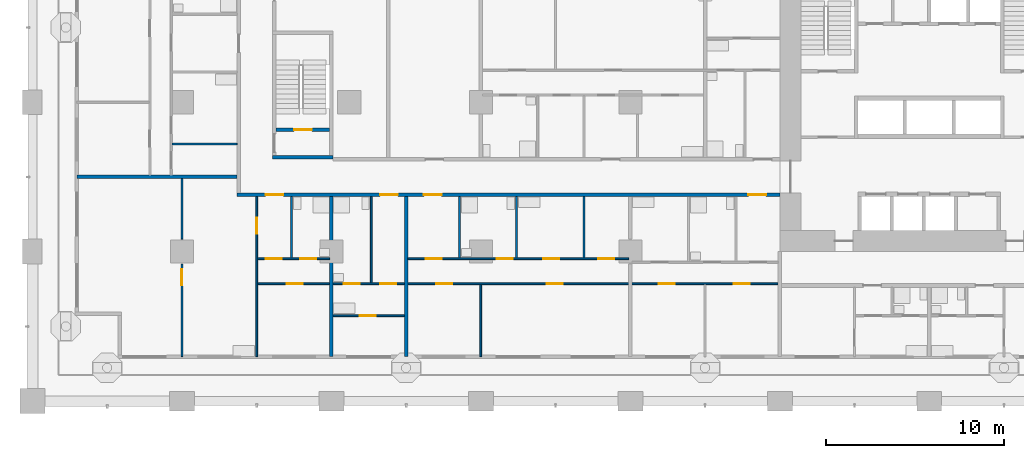
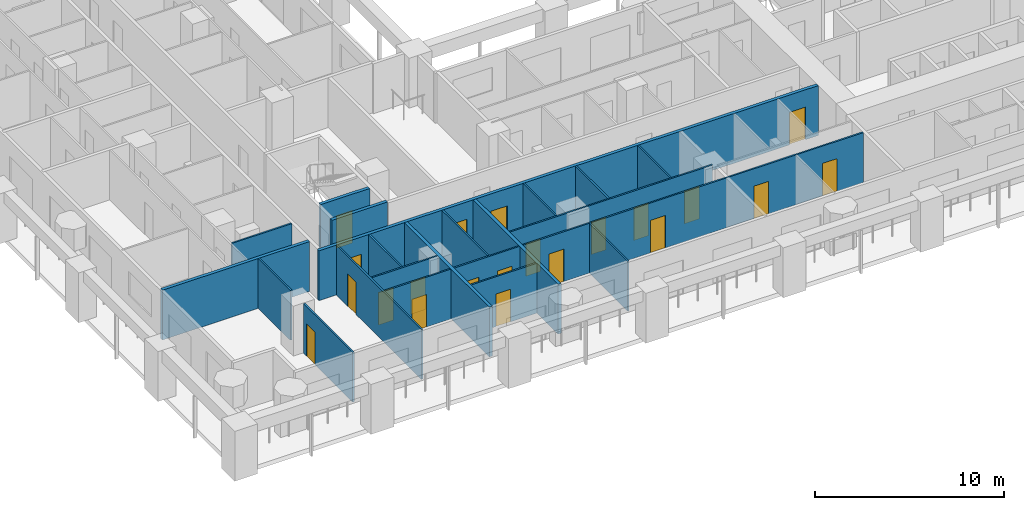
# One storey, part 2 of 21: 21 doors, 20 walls, 21 openings.
"""IFC4 building model written with IfcOpenShell, lengths in metres."""

from ifc_helpers import new_model, si_unit, direction, frame, frame_2d, origin, place, context, subcontext, project, spatial, rectangle, extrude, material, layer, layer_set, type_object, element, fill, save


model = new_model("IFC4")

# Units and contexts
model_context = context("Model", 3, precision=1e-05, world=origin(), true_north=direction((0.0, 1.0)))
body_context = subcontext(model_context, "Body", "Model", "MODEL_VIEW")
ifc_project = project(units=[si_unit("LENGTHUNIT", "METRE"), si_unit("AREAUNIT", "SQUARE_METRE"), si_unit("VOLUMEUNIT", "CUBIC_METRE"), si_unit("PLANEANGLEUNIT", "RADIAN"), si_unit("MASSUNIT", "GRAM", prefix="KILO")], contexts=[model_context])

# Site, building, storey
site_placement = place(None, origin())
site = spatial("IfcSite", under=ifc_project, at=site_placement, CompositionType="ELEMENT")
building_placement = place(site_placement, origin())
building = spatial("IfcBuilding", under=site, at=building_placement, Name="Vermilion Gate Residences", CompositionType="ELEMENT")
storey_placement = place(building_placement, frame((0.0, 0.0, 67.199951171875)))
storey = spatial("IfcBuildingStorey", under=building, at=storey_placement, Name="L16", CompositionType="ELEMENT", Elevation=67.199951171875)

# Wall, opening, door
ifc_material_1 = material(Name="Plasterboard on steel studs", Category="steel")
ifc_layer_1 = layer(ifc_material_1, 0.10009765625)
ifc_layer_set_1 = layer_set([ifc_layer_1], Name="PARTITION 100")
wall_type_1 = type_object("IfcWallType", Name="PARTITION 100", PredefinedType="PARTITIONING", material=ifc_layer_set_1)
wall_1_placement = place(storey_placement, frame((16.89990234375, 4.800048828125, 0.0), z_axis=(0.0, 0.0, 1.0), x_axis=(1.0, 0.0, 0.0)))
wall_1 = element("IfcWall", 1, at=wall_1_placement, inside=storey, type_object=wall_type_1, Name="Partition", PredefinedType="PARTITIONING", context=body_context, shape_type="SweptSolid", body=[
    extrude(rectangle(XDim=4.0, YDim=0.10009765625, at=frame_2d((2.0, 0.0))), origin(), (0.0, 0.0, 1.0), 3.219970703125),
])
opening_1_placement = place(wall_1_placement, frame((1.5, 0.0, 0.0)))
opening_1 = element("IfcOpeningElement", 2, at=opening_1_placement, cuts=wall_1, Name="Opening DA16001", PredefinedType="OPENING", context=body_context, shape_type="SweptSolid", body=[
    extrude(rectangle(XDim=0.89990234375, YDim=2.10009765625, at=frame_2d((0.449951171875, 1.050048828125))), frame((0.0, 0.06005859375, 0.0), z_axis=(0.0, -1.0, 0.0), x_axis=(1.0, 0.0, 0.0)), (0.0, 0.0, 1.0), 0.1201171875),
])
ifc_material_2 = material(Name="Timber", Category="wood")
door_type_1 = type_object("IfcDoorType", Name="INTERIOR DOOR 900 X 2100", OperationType="SINGLE_SWING_LEFT", PredefinedType="DOOR", material=ifc_material_2)
door_1_placement = place(opening_1_placement, origin())
door_1 = element("IfcDoor", 3, at=door_1_placement, inside=storey, type_object=door_type_1, Name="Interior door", OperationType="SINGLE_SWING_LEFT", OverallHeight=2.10009765625, OverallWidth=0.89990234375, PredefinedType="DOOR", context=body_context, shape_type="SweptSolid", body=[
    extrude(rectangle(XDim=0.89990234375, YDim=2.10009765625, at=frame_2d((0.449951171875, 1.050048828125))), frame((0.0, 0.02490234375, 0.0), z_axis=(0.0, -1.0, 0.0), x_axis=(1.0, 0.0, 0.0)), (0.0, 0.0, 1.0), 0.050048828125),
])
fill(opening_1, door_1)

# Wall, openings, doors
wall_2_placement = place(storey_placement, frame((12.64990234375, 6.60009765625, 0.0), z_axis=(0.0, 0.0, 1.0), x_axis=(1.0, 0.0, 0.0)))
wall_2 = element("IfcWall", 4, at=wall_2_placement, inside=storey, type_object=wall_type_1, Name="Partition", PredefinedType="PARTITIONING", context=body_context, shape_type="SweptSolid", body=[
    extrude(rectangle(XDim=29.25, YDim=0.10009765625, at=frame_2d((14.625, 0.0))), origin(), (0.0, 0.0, 1.0), 3.219970703125),
])
opening_2_placement = place(wall_2_placement, frame((1.64990234375, 0.0, 0.0)))
opening_2 = element("IfcOpeningElement", 5, at=opening_2_placement, cuts=wall_2, Name="Opening DA16009", PredefinedType="OPENING", context=body_context, shape_type="SweptSolid", body=[
    extrude(rectangle(XDim=0.89990234375, YDim=2.10009765625, at=frame_2d((0.449951171875, 1.050048828125))), frame((0.0, 0.06005859375, 0.0), z_axis=(0.0, -1.0, 0.0), x_axis=(1.0, 0.0, 0.0)), (0.0, 0.0, 1.0), 0.1201171875),
])
opening_3_placement = place(wall_2_placement, frame((6.889892578125, 0.0, 0.0)))
opening_3 = element("IfcOpeningElement", 6, at=opening_3_placement, cuts=wall_2, Name="Opening DA16010", PredefinedType="OPENING", context=body_context, shape_type="SweptSolid", body=[
    extrude(rectangle(XDim=0.89990234375, YDim=2.10009765625, at=frame_2d((0.449951171875, 1.050048828125))), frame((0.0, 0.06005859375, 0.0), z_axis=(0.0, -1.0, 0.0), x_axis=(1.0, 0.0, 0.0)), (0.0, 0.0, 1.0), 0.1201171875),
])
opening_4_placement = place(wall_2_placement, frame((4.85009765625, 0.0, 0.0)))
opening_4 = element("IfcOpeningElement", 7, at=opening_4_placement, cuts=wall_2, Name="Opening DA16011", PredefinedType="OPENING", context=body_context, shape_type="SweptSolid", body=[
    extrude(rectangle(XDim=0.89990234375, YDim=2.10009765625, at=frame_2d((0.449951171875, 1.050048828125))), frame((0.0, 0.06005859375, 0.0), z_axis=(0.0, -1.0, 0.0), x_axis=(1.0, 0.0, 0.0)), (0.0, 0.0, 1.0), 0.1201171875),
])
opening_5_placement = place(wall_2_placement, frame((10.050048828125, 0.0, 0.0)))
opening_5 = element("IfcOpeningElement", 8, at=opening_5_placement, cuts=wall_2, Name="Opening DA16012", PredefinedType="OPENING", context=body_context, shape_type="SweptSolid", body=[
    extrude(rectangle(XDim=0.89990234375, YDim=2.10009765625, at=frame_2d((0.449951171875, 1.050048828125))), frame((0.0, 0.06005859375, 0.0), z_axis=(0.0, -1.0, 0.0), x_axis=(1.0, 0.0, 0.0)), (0.0, 0.0, 1.0), 0.1201171875),
])
opening_6_placement = place(wall_2_placement, frame((16.25, 0.0, 0.0)))
opening_6 = element("IfcOpeningElement", 9, at=opening_6_placement, cuts=wall_2, Name="Opening DA16013", PredefinedType="OPENING", context=body_context, shape_type="SweptSolid", body=[
    extrude(rectangle(XDim=0.89990234375, YDim=2.10009765625, at=frame_2d((0.449951171875, 1.050048828125))), frame((0.0, 0.06005859375, 0.0), z_axis=(0.0, -1.0, 0.0), x_axis=(1.0, 0.0, 0.0)), (0.0, 0.0, 1.0), 0.1201171875),
])
opening_7_placement = place(wall_2_placement, frame((22.550048828125, 0.0, 0.0)))
opening_7 = element("IfcOpeningElement", 10, at=opening_7_placement, cuts=wall_2, Name="Opening DA16014", PredefinedType="OPENING", context=body_context, shape_type="SweptSolid", body=[
    extrude(rectangle(XDim=0.89990234375, YDim=2.10009765625, at=frame_2d((0.449951171875, 1.050048828125))), frame((0.0, 0.06005859375, 0.0), z_axis=(0.0, -1.0, 0.0), x_axis=(1.0, 0.0, 0.0)), (0.0, 0.0, 1.0), 0.1201171875),
])
opening_8_placement = place(wall_2_placement, frame((26.75, 0.0, 0.0)))
opening_8 = element("IfcOpeningElement", 11, at=opening_8_placement, cuts=wall_2, Name="Opening DA16015", PredefinedType="OPENING", context=body_context, shape_type="SweptSolid", body=[
    extrude(rectangle(XDim=0.89990234375, YDim=2.10009765625, at=frame_2d((0.449951171875, 1.050048828125))), frame((0.0, 0.06005859375, 0.0), z_axis=(0.0, -1.0, 0.0), x_axis=(1.0, 0.0, 0.0)), (0.0, 0.0, 1.0), 0.1201171875),
])
door_2_placement = place(opening_2_placement, frame((0.89990234375, 0.0, 0.0), z_axis=(0.0, 0.0, 1.0), x_axis=(-1.0, 0.0, 0.0)))
door_2 = element("IfcDoor", 12, at=door_2_placement, inside=storey, type_object=door_type_1, Name="Interior door", OperationType="SINGLE_SWING_LEFT", OverallHeight=2.10009765625, OverallWidth=0.89990234375, PredefinedType="DOOR", context=body_context, shape_type="SweptSolid", body=[
    extrude(rectangle(XDim=0.89990234375, YDim=2.10009765625, at=frame_2d((0.449951171875, 1.050048828125))), frame((0.0, 0.02490234375, 0.0), z_axis=(0.0, -1.0, 0.0), x_axis=(1.0, 0.0, 0.0)), (0.0, 0.0, 1.0), 0.050048828125),
])
fill(opening_2, door_2)
door_3_placement = place(opening_3_placement, frame((0.89990234375, 0.0, 0.0), z_axis=(0.0, 0.0, 1.0), x_axis=(-1.0, 0.0, 0.0)))
door_3 = element("IfcDoor", 13, at=door_3_placement, inside=storey, type_object=door_type_1, Name="Interior door", OperationType="SINGLE_SWING_LEFT", OverallHeight=2.10009765625, OverallWidth=0.89990234375, PredefinedType="DOOR", context=body_context, shape_type="SweptSolid", body=[
    extrude(rectangle(XDim=0.89990234375, YDim=2.10009765625, at=frame_2d((0.449951171875, 1.050048828125))), frame((0.0, 0.02490234375, 0.0), z_axis=(0.0, -1.0, 0.0), x_axis=(1.0, 0.0, 0.0)), (0.0, 0.0, 1.0), 0.050048828125),
])
fill(opening_3, door_3)
door_4_placement = place(opening_4_placement, frame((0.89990234375, 0.0, 0.0), z_axis=(0.0, 0.0, 1.0), x_axis=(-1.0, 0.0, 0.0)))
door_4 = element("IfcDoor", 14, at=door_4_placement, inside=storey, type_object=door_type_1, Name="Interior door", OperationType="SINGLE_SWING_RIGHT", OverallHeight=2.10009765625, OverallWidth=0.89990234375, PredefinedType="DOOR", context=body_context, shape_type="SweptSolid", body=[
    extrude(rectangle(XDim=0.89990234375, YDim=2.10009765625, at=frame_2d((0.449951171875, 1.050048828125))), frame((0.0, 0.02490234375, 0.0), z_axis=(0.0, -1.0, 0.0), x_axis=(1.0, 0.0, 0.0)), (0.0, 0.0, 1.0), 0.050048828125),
])
fill(opening_4, door_4)
door_5_placement = place(opening_5_placement, frame((0.89990234375, 0.0, 0.0), z_axis=(0.0, 0.0, 1.0), x_axis=(-1.0, 0.0, 0.0)))
door_5 = element("IfcDoor", 15, at=door_5_placement, inside=storey, type_object=door_type_1, Name="Interior door", OperationType="SINGLE_SWING_LEFT", OverallHeight=2.10009765625, OverallWidth=0.89990234375, PredefinedType="DOOR", context=body_context, shape_type="SweptSolid", body=[
    extrude(rectangle(XDim=0.89990234375, YDim=2.10009765625, at=frame_2d((0.449951171875, 1.050048828125))), frame((0.0, 0.02490234375, 0.0), z_axis=(0.0, -1.0, 0.0), x_axis=(1.0, 0.0, 0.0)), (0.0, 0.0, 1.0), 0.050048828125),
])
fill(opening_5, door_5)
door_6_placement = place(opening_6_placement, frame((0.89990234375, 0.0, 0.0), z_axis=(0.0, 0.0, 1.0), x_axis=(-1.0, 0.0, 0.0)))
door_6 = element("IfcDoor", 16, at=door_6_placement, inside=storey, type_object=door_type_1, Name="Interior door", OperationType="SINGLE_SWING_RIGHT", OverallHeight=2.10009765625, OverallWidth=0.89990234375, PredefinedType="DOOR", context=body_context, shape_type="SweptSolid", body=[
    extrude(rectangle(XDim=0.89990234375, YDim=2.10009765625, at=frame_2d((0.449951171875, 1.050048828125))), frame((0.0, 0.02490234375, 0.0), z_axis=(0.0, -1.0, 0.0), x_axis=(1.0, 0.0, 0.0)), (0.0, 0.0, 1.0), 0.050048828125),
])
fill(opening_6, door_6)
door_7_placement = place(opening_7_placement, frame((0.89990234375, 0.0, 0.0), z_axis=(0.0, 0.0, 1.0), x_axis=(-1.0, 0.0, 0.0)))
door_7 = element("IfcDoor", 17, at=door_7_placement, inside=storey, type_object=door_type_1, Name="Interior door", OperationType="SINGLE_SWING_RIGHT", OverallHeight=2.10009765625, OverallWidth=0.89990234375, PredefinedType="DOOR", context=body_context, shape_type="SweptSolid", body=[
    extrude(rectangle(XDim=0.89990234375, YDim=2.10009765625, at=frame_2d((0.449951171875, 1.050048828125))), frame((0.0, 0.02490234375, 0.0), z_axis=(0.0, -1.0, 0.0), x_axis=(1.0, 0.0, 0.0)), (0.0, 0.0, 1.0), 0.050048828125),
])
fill(opening_7, door_7)
door_8_placement = place(opening_8_placement, frame((0.89990234375, 0.0, 0.0), z_axis=(0.0, 0.0, 1.0), x_axis=(-1.0, 0.0, 0.0)))
door_8 = element("IfcDoor", 18, at=door_8_placement, inside=storey, type_object=door_type_1, Name="Interior door", OperationType="SINGLE_SWING_RIGHT", OverallHeight=2.10009765625, OverallWidth=0.89990234375, PredefinedType="DOOR", context=body_context, shape_type="SweptSolid", body=[
    extrude(rectangle(XDim=0.89990234375, YDim=2.10009765625, at=frame_2d((0.449951171875, 1.050048828125))), frame((0.0, 0.02490234375, 0.0), z_axis=(0.0, -1.0, 0.0), x_axis=(1.0, 0.0, 0.0)), (0.0, 0.0, 1.0), 0.050048828125),
])
fill(opening_8, door_8)

wall_3_placement = place(storey_placement, frame((12.64990234375, 8.0, 0.0), z_axis=(0.0, 0.0, 1.0), x_axis=(1.0, 0.0, 0.0)))
wall_3 = element("IfcWall", 19, at=wall_3_placement, inside=storey, type_object=wall_type_1, Name="Partition", PredefinedType="PARTITIONING", context=body_context, shape_type="SweptSolid", body=[
    extrude(rectangle(XDim=4.050048828125, YDim=0.10009765625, at=frame_2d((2.02490234375, 0.0))), origin(), (0.0, 0.0, 1.0), 3.219970703125),
])
opening_9_placement = place(wall_3_placement, frame((0.449951171875, 0.0, 0.0)))
opening_9 = element("IfcOpeningElement", 20, at=opening_9_placement, cuts=wall_3, Name="Opening DA16019", PredefinedType="OPENING", context=body_context, shape_type="SweptSolid", body=[
    extrude(rectangle(XDim=0.89990234375, YDim=2.10009765625, at=frame_2d((0.449951171875, 1.050048828125))), frame((0.0, 0.06005859375, 0.0), z_axis=(0.0, -1.0, 0.0), x_axis=(1.0, 0.0, 0.0)), (0.0, 0.0, 1.0), 0.1201171875),
])
opening_10_placement = place(wall_3_placement, frame((2.409912109375, 0.0, 0.0)))
opening_10 = element("IfcOpeningElement", 21, at=opening_10_placement, cuts=wall_3, Name="Opening DA16020", PredefinedType="OPENING", context=body_context, shape_type="SweptSolid", body=[
    extrude(rectangle(XDim=0.89990234375, YDim=2.10009765625, at=frame_2d((0.449951171875, 1.050048828125))), frame((0.0, 0.06005859375, 0.0), z_axis=(0.0, -1.0, 0.0), x_axis=(1.0, 0.0, 0.0)), (0.0, 0.0, 1.0), 0.1201171875),
])
door_9_placement = place(opening_9_placement, frame((0.89990234375, 0.0, 0.0), z_axis=(0.0, 0.0, 1.0), x_axis=(-1.0, 0.0, 0.0)))
door_9 = element("IfcDoor", 22, at=door_9_placement, inside=storey, type_object=door_type_1, Name="Interior door", OperationType="SINGLE_SWING_RIGHT", OverallHeight=2.10009765625, OverallWidth=0.89990234375, PredefinedType="DOOR", context=body_context, shape_type="SweptSolid", body=[
    extrude(rectangle(XDim=0.89990234375, YDim=2.10009765625, at=frame_2d((0.449951171875, 1.050048828125))), frame((0.0, 0.02490234375, 0.0), z_axis=(0.0, -1.0, 0.0), x_axis=(1.0, 0.0, 0.0)), (0.0, 0.0, 1.0), 0.050048828125),
])
fill(opening_9, door_9)
door_10_placement = place(opening_10_placement, origin())
door_10 = element("IfcDoor", 23, at=door_10_placement, inside=storey, type_object=door_type_1, Name="Interior door", OperationType="SINGLE_SWING_RIGHT", OverallHeight=2.10009765625, OverallWidth=0.89990234375, PredefinedType="DOOR", context=body_context, shape_type="SweptSolid", body=[
    extrude(rectangle(XDim=0.89990234375, YDim=2.10009765625, at=frame_2d((0.449951171875, 1.050048828125))), frame((0.0, 0.02490234375, 0.0), z_axis=(0.0, -1.0, 0.0), x_axis=(1.0, 0.0, 0.0)), (0.0, 0.0, 1.0), 0.050048828125),
])
fill(opening_10, door_10)

wall_4_placement = place(storey_placement, frame((21.10009765625, 8.0, 0.0), z_axis=(0.0, 0.0, 1.0), x_axis=(1.0, 0.0, 0.0)))
wall_4 = element("IfcWall", 24, at=wall_4_placement, inside=storey, type_object=wall_type_1, Name="Partition", PredefinedType="PARTITIONING", context=body_context, shape_type="SweptSolid", body=[
    extrude(rectangle(XDim=12.39990234375, YDim=0.10009765625, at=frame_2d((6.199951171875, 0.0))), origin(), (0.0, 0.0, 1.0), 3.219970703125),
])
opening_11_placement = place(wall_4_placement, frame((1.0, 0.0, 0.0)))
opening_11 = element("IfcOpeningElement", 25, at=opening_11_placement, cuts=wall_4, Name="Opening DA16021", PredefinedType="OPENING", context=body_context, shape_type="SweptSolid", body=[
    extrude(rectangle(XDim=0.89990234375, YDim=2.10009765625, at=frame_2d((0.449951171875, 1.050048828125))), frame((0.0, 0.06005859375, 0.0), z_axis=(0.0, -1.0, 0.0), x_axis=(1.0, 0.0, 0.0)), (0.0, 0.0, 1.0), 0.1201171875),
])
opening_12_placement = place(wall_4_placement, frame((5.0, 0.0, 0.0)))
opening_12 = element("IfcOpeningElement", 26, at=opening_12_placement, cuts=wall_4, Name="Opening DA16022", PredefinedType="OPENING", context=body_context, shape_type="SweptSolid", body=[
    extrude(rectangle(XDim=0.89990234375, YDim=2.10009765625, at=frame_2d((0.449951171875, 1.050048828125))), frame((0.0, 0.06005859375, 0.0), z_axis=(0.0, -1.0, 0.0), x_axis=(1.0, 0.0, 0.0)), (0.0, 0.0, 1.0), 0.1201171875),
])
opening_13_placement = place(wall_4_placement, frame((7.60009765625, 0.0, 0.0)))
opening_13 = element("IfcOpeningElement", 27, at=opening_13_placement, cuts=wall_4, Name="Opening DA16023", PredefinedType="OPENING", context=body_context, shape_type="SweptSolid", body=[
    extrude(rectangle(XDim=0.89990234375, YDim=2.10009765625, at=frame_2d((0.449951171875, 1.050048828125))), frame((0.0, 0.06005859375, 0.0), z_axis=(0.0, -1.0, 0.0), x_axis=(1.0, 0.0, 0.0)), (0.0, 0.0, 1.0), 0.1201171875),
])
opening_14_placement = place(wall_4_placement, frame((10.699951171875, 0.0, 0.0)))
opening_14 = element("IfcOpeningElement", 28, at=opening_14_placement, cuts=wall_4, Name="Opening DA16024", PredefinedType="OPENING", context=body_context, shape_type="SweptSolid", body=[
    extrude(rectangle(XDim=0.89990234375, YDim=2.10009765625, at=frame_2d((0.449951171875, 1.050048828125))), frame((0.0, 0.06005859375, 0.0), z_axis=(0.0, -1.0, 0.0), x_axis=(1.0, 0.0, 0.0)), (0.0, 0.0, 1.0), 0.1201171875),
])
door_11_placement = place(opening_11_placement, origin())
door_11 = element("IfcDoor", 29, at=door_11_placement, inside=storey, type_object=door_type_1, Name="Interior door", OperationType="SINGLE_SWING_RIGHT", OverallHeight=2.10009765625, OverallWidth=0.89990234375, PredefinedType="DOOR", context=body_context, shape_type="SweptSolid", body=[
    extrude(rectangle(XDim=0.89990234375, YDim=2.10009765625, at=frame_2d((0.449951171875, 1.050048828125))), frame((0.0, 0.02490234375, 0.0), z_axis=(0.0, -1.0, 0.0), x_axis=(1.0, 0.0, 0.0)), (0.0, 0.0, 1.0), 0.050048828125),
])
fill(opening_11, door_11)
door_12_placement = place(opening_12_placement, origin())
door_12 = element("IfcDoor", 30, at=door_12_placement, inside=storey, type_object=door_type_1, Name="Interior door", OperationType="SINGLE_SWING_RIGHT", OverallHeight=2.10009765625, OverallWidth=0.89990234375, PredefinedType="DOOR", context=body_context, shape_type="SweptSolid", body=[
    extrude(rectangle(XDim=0.89990234375, YDim=2.10009765625, at=frame_2d((0.449951171875, 1.050048828125))), frame((0.0, 0.02490234375, 0.0), z_axis=(0.0, -1.0, 0.0), x_axis=(1.0, 0.0, 0.0)), (0.0, 0.0, 1.0), 0.050048828125),
])
fill(opening_12, door_12)
door_13_placement = place(opening_13_placement, origin())
door_13 = element("IfcDoor", 31, at=door_13_placement, inside=storey, type_object=door_type_1, Name="Interior door", OperationType="SINGLE_SWING_RIGHT", OverallHeight=2.10009765625, OverallWidth=0.89990234375, PredefinedType="DOOR", context=body_context, shape_type="SweptSolid", body=[
    extrude(rectangle(XDim=0.89990234375, YDim=2.10009765625, at=frame_2d((0.449951171875, 1.050048828125))), frame((0.0, 0.02490234375, 0.0), z_axis=(0.0, -1.0, 0.0), x_axis=(1.0, 0.0, 0.0)), (0.0, 0.0, 1.0), 0.050048828125),
])
fill(opening_13, door_13)
door_14_placement = place(opening_14_placement, origin())
door_14 = element("IfcDoor", 32, at=door_14_placement, inside=storey, type_object=door_type_1, Name="Interior door", OperationType="SINGLE_SWING_RIGHT", OverallHeight=2.10009765625, OverallWidth=0.89990234375, PredefinedType="DOOR", context=body_context, shape_type="SweptSolid", body=[
    extrude(rectangle(XDim=0.89990234375, YDim=2.10009765625, at=frame_2d((0.449951171875, 1.050048828125))), frame((0.0, 0.02490234375, 0.0), z_axis=(0.0, -1.0, 0.0), x_axis=(1.0, 0.0, 0.0)), (0.0, 0.0, 1.0), 0.050048828125),
])
fill(opening_14, door_14)

# Wall
wall_5_placement = place(storey_placement, frame((7.85009765625, 14.449951171875, 0.0), z_axis=(0.0, 0.0, 1.0), x_axis=(1.0, 0.0, 0.0)))
element("IfcWall", 33, at=wall_5_placement, inside=storey, type_object=wall_type_1, Name="Partition", PredefinedType="PARTITIONING", context=body_context, shape_type="SweptSolid", body=[
    extrude(rectangle(XDim=3.64990234375, YDim=0.10009765625, at=frame_2d((1.824951171875, 0.0))), origin(), (0.0, 0.0, 1.0), 3.219970703125),
])

# Wall, opening, door
wall_6_placement = place(storey_placement, frame((8.39990234375, 2.5, 0.0), z_axis=(0.0, 0.0, 1.0), x_axis=(0.0, 1.0, 0.0)))
wall_6 = element("IfcWall", 34, at=wall_6_placement, inside=storey, type_object=wall_type_1, Name="Partition", PredefinedType="PARTITIONING", context=body_context, shape_type="SweptSolid", body=[
    extrude(rectangle(XDim=5.199951171875, YDim=0.10009765625, at=frame_2d((2.60009765625, 0.0))), origin(), (0.0, 0.0, 1.0), 3.219970703125),
])
opening_15_placement = place(wall_6_placement, frame((4.0, 0.0, 0.0)))
opening_15 = element("IfcOpeningElement", 35, at=opening_15_placement, cuts=wall_6, Name="Opening DA16064", PredefinedType="OPENING", context=body_context, shape_type="SweptSolid", body=[
    extrude(rectangle(XDim=0.89990234375, YDim=2.10009765625, at=frame_2d((0.449951171875, 1.050048828125))), frame((0.0, 0.06005859375, 0.0), z_axis=(0.0, -1.0, 0.0), x_axis=(1.0, 0.0, 0.0)), (0.0, 0.0, 1.0), 0.1201171875),
])
door_15_placement = place(opening_15_placement, frame((0.89990234375, 0.0, 0.0), z_axis=(0.0, 0.0, 1.0), x_axis=(-1.0, 0.0, 0.0)))
door_15 = element("IfcDoor", 36, at=door_15_placement, inside=storey, type_object=door_type_1, Name="Interior door", OperationType="SINGLE_SWING_LEFT", OverallHeight=2.10009765625, OverallWidth=0.89990234375, PredefinedType="DOOR", context=body_context, shape_type="SweptSolid", body=[
    extrude(rectangle(XDim=0.89990234375, YDim=2.10009765625, at=frame_2d((0.449951171875, 1.050048828125))), frame((0.0, 0.02490234375, 0.0), z_axis=(0.0, -1.0, 0.0), x_axis=(1.0, 0.0, 0.0)), (0.0, 0.0, 1.0), 0.050048828125),
])
fill(opening_15, door_15)

# Wall
wall_7_placement = place(storey_placement, frame((8.39990234375, 9.10009765625, 0.0), z_axis=(0.0, 0.0, 1.0), x_axis=(0.0, 1.0, 0.0)))
element("IfcWall", 37, at=wall_7_placement, inside=storey, type_object=wall_type_1, Name="Partition", PredefinedType="PARTITIONING", context=body_context, shape_type="SweptSolid", body=[
    extrude(rectangle(XDim=3.39990234375, YDim=0.10009765625, at=frame_2d((1.699951171875, 0.0))), origin(), (0.0, 0.0, 1.0), 3.219970703125),
])

# Wall, opening, door
wall_8_placement = place(storey_placement, frame((12.60009765625, 2.5, 0.0), z_axis=(0.0, 0.0, 1.0), x_axis=(0.0, 1.0, 0.0)))
wall_8 = element("IfcWall", 38, at=wall_8_placement, inside=storey, type_object=wall_type_1, Name="Partition", PredefinedType="PARTITIONING", context=body_context, shape_type="SweptSolid", body=[
    extrude(rectangle(XDim=9.0, YDim=0.10009765625, at=frame_2d((4.5, 0.0))), origin(), (0.0, 0.0, 1.0), 3.219970703125),
])
opening_16_placement = place(wall_8_placement, frame((6.89990234375, 0.0, 0.0)))
opening_16 = element("IfcOpeningElement", 39, at=opening_16_placement, cuts=wall_8, Name="Opening DA16068", PredefinedType="OPENING", context=body_context, shape_type="SweptSolid", body=[
    extrude(rectangle(XDim=0.89990234375, YDim=2.10009765625, at=frame_2d((0.449951171875, 1.050048828125))), frame((0.0, 0.06005859375, 0.0), z_axis=(0.0, -1.0, 0.0), x_axis=(1.0, 0.0, 0.0)), (0.0, 0.0, 1.0), 0.1201171875),
])
door_16_placement = place(opening_16_placement, origin())
door_16 = element("IfcDoor", 40, at=door_16_placement, inside=storey, type_object=door_type_1, Name="Interior door", OperationType="SINGLE_SWING_RIGHT", OverallHeight=2.10009765625, OverallWidth=0.89990234375, PredefinedType="DOOR", context=body_context, shape_type="SweptSolid", body=[
    extrude(rectangle(XDim=0.89990234375, YDim=2.10009765625, at=frame_2d((0.449951171875, 1.050048828125))), frame((0.0, 0.02490234375, 0.0), z_axis=(0.0, -1.0, 0.0), x_axis=(1.0, 0.0, 0.0)), (0.0, 0.0, 1.0), 0.050048828125),
])
fill(opening_16, door_16)

# Walls
wall_9_placement = place(storey_placement, frame((14.56005859375, 8.050048828125, 0.0), z_axis=(0.0, 0.0, 1.0), x_axis=(0.0, 1.0, 0.0)))
element("IfcWall", 41, at=wall_9_placement, inside=storey, type_object=wall_type_1, Name="Partition", PredefinedType="PARTITIONING", context=body_context, shape_type="SweptSolid", body=[
    extrude(rectangle(XDim=3.449951171875, YDim=0.10009765625, at=frame_2d((1.72509765625, 0.0))), origin(), (0.0, 0.0, 1.0), 3.219970703125),
])
wall_10_placement = place(storey_placement, frame((19.0400390625, 6.64990234375, 0.0), z_axis=(0.0, 0.0, 1.0), x_axis=(0.0, 1.0, 0.0)))
element("IfcWall", 42, at=wall_10_placement, inside=storey, type_object=wall_type_1, Name="Partition", PredefinedType="PARTITIONING", context=body_context, shape_type="SweptSolid", body=[
    extrude(rectangle(XDim=4.85009765625, YDim=0.10009765625, at=frame_2d((2.425048828125, 0.0))), origin(), (0.0, 0.0, 1.0), 3.219970703125),
])
wall_11_placement = place(storey_placement, frame((24.0, 8.050048828125, 0.0), z_axis=(0.0, 0.0, 1.0), x_axis=(0.0, 1.0, 0.0)))
element("IfcWall", 43, at=wall_11_placement, inside=storey, type_object=wall_type_1, Name="Partition", PredefinedType="PARTITIONING", context=body_context, shape_type="SweptSolid", body=[
    extrude(rectangle(XDim=3.449951171875, YDim=0.10009765625, at=frame_2d((1.72509765625, 0.0))), origin(), (0.0, 0.0, 1.0), 3.219970703125),
])
wall_12_placement = place(storey_placement, frame((25.199951171875, 2.5, 0.0), z_axis=(0.0, 0.0, 1.0), x_axis=(0.0, 1.0, 0.0)))
element("IfcWall", 44, at=wall_12_placement, inside=storey, type_object=wall_type_1, Name="Partition", PredefinedType="PARTITIONING", context=body_context, shape_type="SweptSolid", body=[
    extrude(rectangle(XDim=4.050048828125, YDim=0.10009765625, at=frame_2d((2.02490234375, 0.0))), origin(), (0.0, 0.0, 1.0), 3.219970703125),
])
for number, where, z_axis, x_axis, name in (
    (45, (27.199951171875, 8.050048828125, 0.0), (0.0, 0.0, 1.0), (0.0, 1.0, 0.0), "Partition"),
    (46, (31.0, 8.050048828125, 0.0), (0.0, 0.0, 1.0), (0.0, 1.0, 0.0), "Partition"),
):
    element("IfcWall", number, at=place(storey_placement, frame(where, z_axis=z_axis, x_axis=x_axis)), inside=storey, type_object=wall_type_1, Name=name, PredefinedType="PARTITIONING", context=body_context, shape_type="SweptSolid", body=[
        extrude(rectangle(XDim=3.449951171875, YDim=0.10009765625, at=frame_2d((1.72509765625, 0.0))), origin(), (0.0, 0.0, 1.0), 3.219970703125),
    ])

# Wall, openings, doors
ifc_material_3 = material(Name="Fire-rated plasterboard on steel studs", Category="steel")
ifc_layer_2 = layer(ifc_material_3, 0.199951171875)
ifc_layer_set_2 = layer_set([ifc_layer_2], Name="PARTY WALL 200 EI 120")
wall_type_2 = type_object("IfcWallType", Name="PARTY WALL 200 EI 120", PredefinedType="PARTITIONING", material=ifc_layer_set_2)
wall_13_placement = place(storey_placement, frame((11.5, 11.60009765625, 0.0), z_axis=(0.0, 0.0, 1.0), x_axis=(1.0, 0.0, 0.0)))
wall_13 = element("IfcWall", 47, at=wall_13_placement, inside=storey, type_object=wall_type_2, Name="Party and corridor wall", PredefinedType="PARTITIONING", context=body_context, shape_type="SweptSolid", body=[
    extrude(rectangle(XDim=30.5, YDim=0.199951171875, at=frame_2d((15.25, 0.0))), origin(), (0.0, 0.0, 1.0), 3.219970703125),
])
opening_17_placement = place(wall_13_placement, frame((1.60009765625, 0.0, 0.0)))
opening_17 = element("IfcOpeningElement", 48, at=opening_17_placement, cuts=wall_13, Name="Opening DA16025", PredefinedType="OPENING", context=body_context, shape_type="SweptSolid", body=[
    extrude(rectangle(XDim=1.0, YDim=2.10009765625, at=frame_2d((0.5, 1.050048828125))), frame((0.0, 0.10986328125, 0.0), z_axis=(0.0, -1.0, 0.0), x_axis=(1.0, 0.0, 0.0)), (0.0, 0.0, 1.0), 0.219970703125),
])
opening_18_placement = place(wall_13_placement, frame((8.0400390625, 0.0, 0.0)))
opening_18 = element("IfcOpeningElement", 49, at=opening_18_placement, cuts=wall_13, Name="Opening DA16026", PredefinedType="OPENING", context=body_context, shape_type="SweptSolid", body=[
    extrude(rectangle(XDim=1.0, YDim=2.10009765625, at=frame_2d((0.5, 1.050048828125))), frame((0.0, 0.10986328125, 0.0), z_axis=(0.0, -1.0, 0.0), x_axis=(1.0, 0.0, 0.0)), (0.0, 0.0, 1.0), 0.219970703125),
])
opening_19_placement = place(wall_13_placement, frame((10.5, 0.0, 0.0)))
opening_19 = element("IfcOpeningElement", 50, at=opening_19_placement, cuts=wall_13, Name="Opening DA16027", PredefinedType="OPENING", context=body_context, shape_type="SweptSolid", body=[
    extrude(rectangle(XDim=1.0, YDim=2.10009765625, at=frame_2d((0.5, 1.050048828125))), frame((0.0, 0.10986328125, 0.0), z_axis=(0.0, -1.0, 0.0), x_axis=(1.0, 0.0, 0.0)), (0.0, 0.0, 1.0), 0.219970703125),
])
opening_20_placement = place(wall_13_placement, frame((28.73291015625, 0.0, 0.0)))
opening_20 = element("IfcOpeningElement", 51, at=opening_20_placement, cuts=wall_13, Name="Opening DA16028", PredefinedType="OPENING", context=body_context, shape_type="SweptSolid", body=[
    extrude(rectangle(XDim=1.0, YDim=2.10009765625, at=frame_2d((0.5, 1.050048828125))), frame((0.0, 0.10986328125, 0.0), z_axis=(0.0, -1.0, 0.0), x_axis=(1.0, 0.0, 0.0)), (0.0, 0.0, 1.0), 0.219970703125),
])
ifc_material_4 = material(Name="Steel", Category="steel")
door_type_2 = type_object("IfcDoorType", Name="ENTRANCE DOOR 1000 X 2100 FD30", OperationType="SINGLE_SWING_LEFT", PredefinedType="DOOR", material=ifc_material_4)
door_17_placement = place(opening_17_placement, frame((1.0, 0.0, 0.0), z_axis=(0.0, 0.0, 1.0), x_axis=(-1.0, 0.0, 0.0)))
door_17 = element("IfcDoor", 52, at=door_17_placement, inside=storey, type_object=door_type_2, Name="Entrance door", OperationType="SINGLE_SWING_LEFT", OverallHeight=2.10009765625, OverallWidth=1.0, PredefinedType="DOOR", context=body_context, shape_type="SweptSolid", body=[
    extrude(rectangle(XDim=1.0, YDim=2.10009765625, at=frame_2d((0.5, 1.050048828125))), frame((0.0, 0.02490234375, 0.0), z_axis=(0.0, -1.0, 0.0), x_axis=(1.0, 0.0, 0.0)), (0.0, 0.0, 1.0), 0.050048828125),
])
fill(opening_17, door_17)
door_18_placement = place(opening_18_placement, frame((1.0, 0.0, 0.0), z_axis=(0.0, 0.0, 1.0), x_axis=(-1.0, 0.0, 0.0)))
door_18 = element("IfcDoor", 53, at=door_18_placement, inside=storey, type_object=door_type_2, Name="Entrance door", OperationType="SINGLE_SWING_LEFT", OverallHeight=2.10009765625, OverallWidth=1.0, PredefinedType="DOOR", context=body_context, shape_type="SweptSolid", body=[
    extrude(rectangle(XDim=1.0, YDim=2.10009765625, at=frame_2d((0.5, 1.050048828125))), frame((0.0, 0.02490234375, 0.0), z_axis=(0.0, -1.0, 0.0), x_axis=(1.0, 0.0, 0.0)), (0.0, 0.0, 1.0), 0.050048828125),
])
fill(opening_18, door_18)
door_19_placement = place(opening_19_placement, frame((1.0, 0.0, 0.0), z_axis=(0.0, 0.0, 1.0), x_axis=(-1.0, 0.0, 0.0)))
door_19 = element("IfcDoor", 54, at=door_19_placement, inside=storey, type_object=door_type_2, Name="Entrance door", OperationType="SINGLE_SWING_RIGHT", OverallHeight=2.10009765625, OverallWidth=1.0, PredefinedType="DOOR", context=body_context, shape_type="SweptSolid", body=[
    extrude(rectangle(XDim=1.0, YDim=2.10009765625, at=frame_2d((0.5, 1.050048828125))), frame((0.0, 0.02490234375, 0.0), z_axis=(0.0, -1.0, 0.0), x_axis=(1.0, 0.0, 0.0)), (0.0, 0.0, 1.0), 0.050048828125),
])
fill(opening_19, door_19)
door_20_placement = place(opening_20_placement, frame((1.0, 0.0, 0.0), z_axis=(0.0, 0.0, 1.0), x_axis=(-1.0, 0.0, 0.0)))
door_20 = element("IfcDoor", 55, at=door_20_placement, inside=storey, type_object=door_type_2, Name="Entrance door", OperationType="SINGLE_SWING_RIGHT", OverallHeight=2.10009765625, OverallWidth=1.0, PredefinedType="DOOR", context=body_context, shape_type="SweptSolid", body=[
    extrude(rectangle(XDim=1.0, YDim=2.10009765625, at=frame_2d((0.5, 1.050048828125))), frame((0.0, 0.02490234375, 0.0), z_axis=(0.0, -1.0, 0.0), x_axis=(1.0, 0.0, 0.0)), (0.0, 0.0, 1.0), 0.050048828125),
])
fill(opening_20, door_20)

# Walls
for number, where, z_axis, x_axis, name in (
    (56, (2.5, 12.60009765625, 0.0), (0.0, 0.0, 1.0), (1.0, 0.0, 0.0), "Party and corridor wall"),
    (57, (16.800048828125, 2.5, 0.0), (0.0, 0.0, 1.0), (0.0, 1.0, 0.0), "Party and corridor wall"),
    (58, (21.0, 2.5, 0.0), (0.0, 0.0, 1.0), (0.0, 1.0, 0.0), "Party and corridor wall"),
):
    element("IfcWall", number, at=place(storey_placement, frame(where, z_axis=z_axis, x_axis=x_axis)), inside=storey, type_object=wall_type_2, Name=name, PredefinedType="PARTITIONING", context=body_context, shape_type="SweptSolid", body=[
        extrude(rectangle(XDim=9.0, YDim=0.199951171875, at=frame_2d((4.5, 0.0))), origin(), (0.0, 0.0, 1.0), 3.219970703125),
    ])
ifc_material_5 = material(Name="Concrete C60", Category="concrete")
ifc_layer_3 = layer(ifc_material_5, 0.199951171875)
ifc_layer_set_3 = layer_set([ifc_layer_3], Name="RC CORE INTERNAL WALL 200 C60")
wall_type_3 = type_object("IfcWallType", Name="RC CORE INTERNAL WALL 200 C60", PredefinedType="SHEAR", material=ifc_layer_set_3)
wall_14_placement = place(storey_placement, frame((13.5, 13.699951171875, 0.0), z_axis=(0.0, 0.0, 1.0), x_axis=(1.0, 0.0, 0.0)))
element("IfcWall", 59, at=wall_14_placement, inside=storey, type_object=wall_type_3, Name="Core internal wall C16-S", PredefinedType="SHEAR", context=body_context, shape_type="SweptSolid", body=[
    extrude(rectangle(XDim=3.39990234375, YDim=0.199951171875, at=frame_2d((1.699951171875, 0.0))), origin(), (0.0, 0.0, 1.0), 3.219970703125),
])

# Wall, opening, door
wall_15_placement = place(storey_placement, frame((13.699951171875, 15.25, 0.0), z_axis=(0.0, 0.0, 1.0), x_axis=(1.0, 0.0, 0.0)))
wall_15 = element("IfcWall", 60, at=wall_15_placement, inside=storey, type_object=wall_type_3, Name="Core internal wall C16-P", PredefinedType="SHEAR", context=body_context, shape_type="SweptSolid", body=[
    extrude(rectangle(XDim=3.0, YDim=0.199951171875, at=frame_2d((1.5, 0.0))), origin(), (0.0, 0.0, 1.0), 3.219970703125),
])
opening_21_placement = place(wall_15_placement, frame((1.0, 0.0, 0.0)))
opening_21 = element("IfcOpeningElement", 61, at=opening_21_placement, cuts=wall_15, Name="Opening DK16202", PredefinedType="OPENING", context=body_context, shape_type="SweptSolid", body=[
    extrude(rectangle(XDim=1.0, YDim=2.10009765625, at=frame_2d((0.5, 1.050048828125))), frame((0.0, 0.10986328125, 0.0), z_axis=(0.0, -1.0, 0.0), x_axis=(1.0, 0.0, 0.0)), (0.0, 0.0, 1.0), 0.219970703125),
])
ifc_material_6 = material(Name="Steel", Category="steel")
door_type_3 = type_object("IfcDoorType", Name="FIRE DOOR FD60 1000 X 2100", OperationType="SINGLE_SWING_LEFT", PredefinedType="DOOR", material=ifc_material_6)
door_21_placement = place(opening_21_placement, origin())
door_21 = element("IfcDoor", 62, at=door_21_placement, inside=storey, type_object=door_type_3, Name="Stair door C16", OperationType="SINGLE_SWING_LEFT", OverallHeight=2.10009765625, OverallWidth=1.0, PredefinedType="DOOR", context=body_context, shape_type="SweptSolid", body=[
    extrude(rectangle(XDim=1.0, YDim=2.10009765625, at=frame_2d((0.5, 1.050048828125))), frame((0.0, 0.02490234375, 0.0), z_axis=(0.0, -1.0, 0.0), x_axis=(1.0, 0.0, 0.0)), (0.0, 0.0, 1.0), 0.050048828125),
])
fill(opening_21, door_21)

save(model, "model.ifc")
